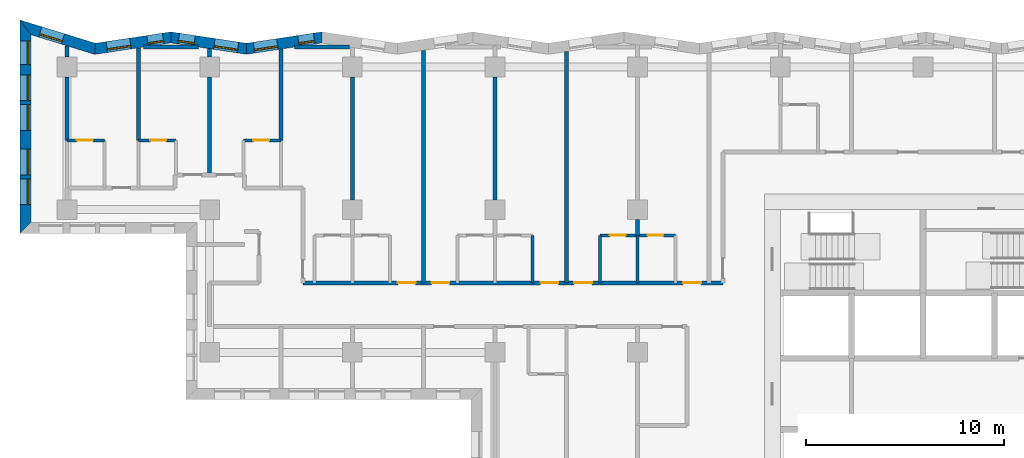
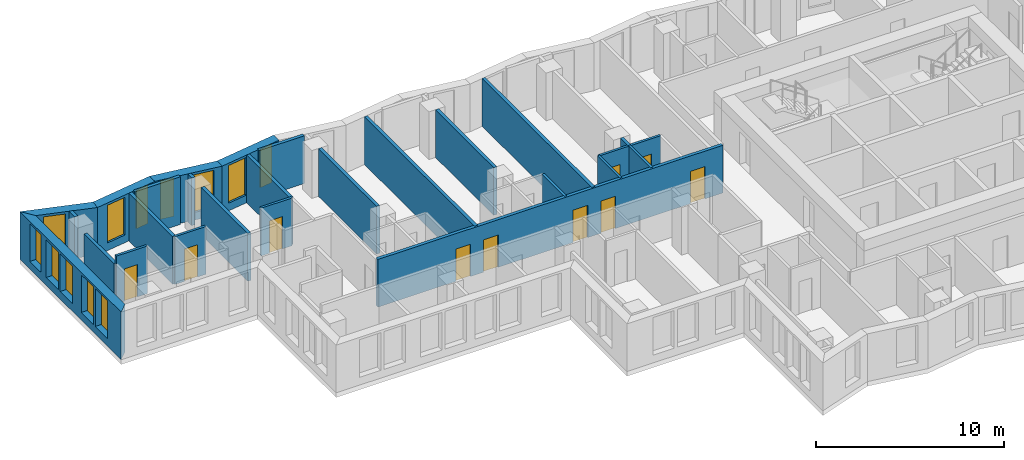
# One storey, part 5 of 13: 26 walls, 12 windows, 10 doors, 22 openings.
"""IFC4 building model written with IfcOpenShell, lengths in metres."""

from ifc_helpers import new_model, si_unit, direction, frame, frame_2d, origin, place, context, subcontext, project, spatial, polyline, rectangle, outline, extrude, material, layer, layer_set, type_object, element, fill, save


model = new_model("IFC4")

# Units and contexts
model_context = context("Model", 3, precision=1e-05, world=origin(), true_north=direction((0.0, 1.0)))
body_context = subcontext(model_context, "Body", "Model", "MODEL_VIEW")
ifc_project = project(units=[si_unit("LENGTHUNIT", "METRE"), si_unit("AREAUNIT", "SQUARE_METRE"), si_unit("VOLUMEUNIT", "CUBIC_METRE"), si_unit("PLANEANGLEUNIT", "RADIAN"), si_unit("MASSUNIT", "GRAM", prefix="KILO")], contexts=[model_context])

# Site, building, storey
site_placement = place(None, origin())
site = spatial("IfcSite", under=ifc_project, at=site_placement, CompositionType="ELEMENT")
building_placement = place(site_placement, origin())
building = spatial("IfcBuilding", under=site, at=building_placement, Name="Windrow Commons", CompositionType="ELEMENT")
storey_placement = place(building_placement, frame((0.0, 0.0, 111.8)))
storey = spatial("IfcBuildingStorey", under=building, at=storey_placement, Name="L30", CompositionType="ELEMENT", Elevation=111.8)

# Wall, openings, windows
ifc_material_1 = material(Name="Brick masonry, red clay brick", Category="masonry")
ifc_layer_1 = layer(ifc_material_1, 0.55)
ifc_layer_set_1 = layer_set([ifc_layer_1], Name="Brick facade wall 550")
wall_type_1 = type_object("IfcWallType", Name="Brick facade wall 550", PredefinedType="SOLIDWALL", material=ifc_layer_set_1)
wall_1_placement = place(storey_placement, frame((34.4666, 73.4939, 0.0), z_axis=(0.0, 0.0, 1.0), x_axis=(-0.9889150173, -0.1484826202, 0.0)))
wall_1 = element("IfcWall", 1, at=wall_1_placement, inside=storey, type_object=wall_type_1, Name="Brick facade wall L30 33", PredefinedType="SOLIDWALL", context=body_context, shape_type="SweptSolid", body=[
    extrude(outline(polyline([(-0.0413, -0.275), (3.8111, -0.275), (3.8937, 0.275), (0.0413, 0.275), (-0.0413, -0.275)])), origin(), (0.0, 0.0, 1.0), 3.1),
])
opening_1_placement = place(wall_1_placement, frame((2.2711, 0.0, 0.5)))
opening_1 = element("IfcOpeningElement", 2, at=opening_1_placement, cuts=wall_1, Name="Opening W7D", PredefinedType="OPENING", context=body_context, shape_type="SweptSolid", body=[
    extrude(rectangle(XDim=1.2, YDim=2.45, at=frame_2d((0.6, 1.225))), frame((0.0, 0.285, 0.0), z_axis=(0.0, -1.0, 0.0), x_axis=(1.0, 0.0, 0.0)), (0.0, 0.0, 1.0), 0.57),
])
opening_2_placement = place(wall_1_placement, frame((0.3975, 0.0, 0.45)))
opening_2 = element("IfcOpeningElement", 3, at=opening_2_placement, cuts=wall_1, Name="Opening W1N", PredefinedType="OPENING", context=body_context, shape_type="SweptSolid", body=[
    extrude(rectangle(XDim=0.8, YDim=2.5, at=frame_2d((0.4, 1.25))), frame((0.0, 0.285, 0.0), z_axis=(0.0, -1.0, 0.0), x_axis=(1.0, 0.0, 0.0)), (0.0, 0.0, 1.0), 0.57),
])
ifc_material_2 = material(Name="Clear float glass in anodised aluminium frame", Category="aluminium")
window_type_1 = type_object("IfcWindowType", Name="Window W1N slit 800x2500", PartitioningType="SINGLE_PANEL", PredefinedType="WINDOW", material=ifc_material_2)
window_1_placement = place(opening_2_placement, origin())
window_1 = element("IfcWindow", 4, at=window_1_placement, inside=storey, type_object=window_type_1, Name="Window L30 33.1A", OverallHeight=2.5, OverallWidth=0.8, PartitioningType="SINGLE_PANEL", PredefinedType="WINDOW", context=body_context, shape_type="SweptSolid", body=[
    extrude(rectangle(XDim=0.8, YDim=2.5, at=frame_2d((0.4, 1.25))), frame((0.0, 0.155, 0.0), z_axis=(0.0, -1.0, 0.0), x_axis=(1.0, 0.0, 0.0)), (0.0, 0.0, 1.0), 0.06),
])
fill(opening_2, window_1)
ifc_material_3 = material(Name="Clear float glass in anodised aluminium frame", Category="aluminium")
window_type_2 = type_object("IfcWindowType", Name="Window W7 notch 1200x2450", PartitioningType="SINGLE_PANEL", PredefinedType="WINDOW", material=ifc_material_3)
window_2_placement = place(opening_1_placement, origin())
window_2 = element("IfcWindow", 5, at=window_2_placement, inside=storey, type_object=window_type_2, Name="Window L30 33.2", OverallHeight=2.45, OverallWidth=1.2, PartitioningType="SINGLE_PANEL", PredefinedType="WINDOW", context=body_context, shape_type="SweptSolid", body=[
    extrude(rectangle(XDim=1.2, YDim=2.45, at=frame_2d((0.6, 1.225))), frame((0.0, 0.155, 0.0), z_axis=(0.0, -1.0, 0.0), x_axis=(1.0, 0.0, 0.0)), (0.0, 0.0, 1.0), 0.06),
])
fill(opening_1, window_2)

wall_2_placement = place(storey_placement, frame((30.657, 72.9219, 0.0), z_axis=(0.0, 0.0, 1.0), x_axis=(-0.9889155896, 0.1484788086, 0.0)))
wall_2 = element("IfcWall", 6, at=wall_2_placement, inside=storey, type_object=wall_type_1, Name="Brick facade wall L30 34", PredefinedType="SOLIDWALL", context=body_context, shape_type="SweptSolid", body=[
    extrude(outline(polyline([(0.0413, -0.275), (3.8937, -0.275), (3.8111, 0.275), (-0.0413, 0.275), (0.0413, -0.275)])), origin(), (0.0, 0.0, 1.0), 3.1),
])
opening_3_placement = place(wall_2_placement, frame((0.4389, 0.0, 0.5)))
opening_3 = element("IfcOpeningElement", 7, at=opening_3_placement, cuts=wall_2, Name="Opening W7D", PredefinedType="OPENING", context=body_context, shape_type="SweptSolid", body=[
    extrude(rectangle(XDim=1.2, YDim=2.45, at=frame_2d((0.6, 1.225))), frame((0.0, 0.285, 0.0), z_axis=(0.0, -1.0, 0.0), x_axis=(1.0, 0.0, 0.0)), (0.0, 0.0, 1.0), 0.57),
])
opening_4_placement = place(wall_2_placement, frame((2.6547, 0.0, 0.45)))
opening_4 = element("IfcOpeningElement", 8, at=opening_4_placement, cuts=wall_2, Name="Opening W1N", PredefinedType="OPENING", context=body_context, shape_type="SweptSolid", body=[
    extrude(rectangle(XDim=0.8, YDim=2.5, at=frame_2d((0.4, 1.25))), frame((0.0, 0.285, 0.0), z_axis=(0.0, -1.0, 0.0), x_axis=(1.0, 0.0, 0.0)), (0.0, 0.0, 1.0), 0.57),
])
window_3_placement = place(opening_4_placement, origin())
window_3 = element("IfcWindow", 9, at=window_3_placement, inside=storey, type_object=window_type_1, Name="Window L30 34.2A", OverallHeight=2.5, OverallWidth=0.8, PartitioningType="SINGLE_PANEL", PredefinedType="WINDOW", context=body_context, shape_type="SweptSolid", body=[
    extrude(rectangle(XDim=0.8, YDim=2.5, at=frame_2d((0.4, 1.25))), frame((0.0, 0.155, 0.0), z_axis=(0.0, -1.0, 0.0), x_axis=(1.0, 0.0, 0.0)), (0.0, 0.0, 1.0), 0.06),
])
fill(opening_4, window_3)
window_4_placement = place(opening_3_placement, origin())
window_4 = element("IfcWindow", 10, at=window_4_placement, inside=storey, type_object=window_type_2, Name="Window L30 34.1", OverallHeight=2.45, OverallWidth=1.2, PartitioningType="SINGLE_PANEL", PredefinedType="WINDOW", context=body_context, shape_type="SweptSolid", body=[
    extrude(rectangle(XDim=1.2, YDim=2.45, at=frame_2d((0.6, 1.225))), frame((0.0, 0.155, 0.0), z_axis=(0.0, -1.0, 0.0), x_axis=(1.0, 0.0, 0.0)), (0.0, 0.0, 1.0), 0.06),
])
fill(opening_3, window_4)

wall_3_placement = place(storey_placement, frame((26.8473, 73.4939, 0.0), z_axis=(0.0, 0.0, 1.0), x_axis=(-0.9889175987, -0.1484654269, 0.0)))
wall_3 = element("IfcWall", 11, at=wall_3_placement, inside=storey, type_object=wall_type_1, Name="Brick facade wall L30 35", PredefinedType="SOLIDWALL", context=body_context, shape_type="SweptSolid", body=[
    extrude(outline(polyline([(-0.0413, -0.275), (3.8111, -0.275), (3.9362, 0.275), (0.0413, 0.275), (-0.0413, -0.275)])), origin(), (0.0, 0.0, 1.0), 3.1),
])
opening_5_placement = place(wall_3_placement, frame((2.0697, 0.0, 0.5)))
opening_5 = element("IfcOpeningElement", 12, at=opening_5_placement, cuts=wall_3, Name="Opening W7D", PredefinedType="OPENING", context=body_context, shape_type="SweptSolid", body=[
    extrude(rectangle(XDim=1.2, YDim=2.45, at=frame_2d((0.6, 1.225))), frame((0.0, 0.285, 0.0), z_axis=(0.0, -1.0, 0.0), x_axis=(1.0, 0.0, 0.0)), (0.0, 0.0, 1.0), 0.57),
])
opening_6_placement = place(wall_3_placement, frame((0.3975, 0.0, 0.45)))
opening_6 = element("IfcOpeningElement", 13, at=opening_6_placement, cuts=wall_3, Name="Opening W1N", PredefinedType="OPENING", context=body_context, shape_type="SweptSolid", body=[
    extrude(rectangle(XDim=0.8, YDim=2.5, at=frame_2d((0.4, 1.25))), frame((0.0, 0.285, 0.0), z_axis=(0.0, -1.0, 0.0), x_axis=(1.0, 0.0, 0.0)), (0.0, 0.0, 1.0), 0.57),
])
window_5_placement = place(opening_6_placement, origin())
window_5 = element("IfcWindow", 14, at=window_5_placement, inside=storey, type_object=window_type_1, Name="Window L30 35.1A", OverallHeight=2.5, OverallWidth=0.8, PartitioningType="SINGLE_PANEL", PredefinedType="WINDOW", context=body_context, shape_type="SweptSolid", body=[
    extrude(rectangle(XDim=0.8, YDim=2.5, at=frame_2d((0.4, 1.25))), frame((0.0, 0.155, 0.0), z_axis=(0.0, -1.0, 0.0), x_axis=(1.0, 0.0, 0.0)), (0.0, 0.0, 1.0), 0.06),
])
fill(opening_6, window_5)
window_6_placement = place(opening_5_placement, origin())
window_6 = element("IfcWindow", 15, at=window_6_placement, inside=storey, type_object=window_type_2, Name="Window L30 35.2", OverallHeight=2.45, OverallWidth=1.2, PartitioningType="SINGLE_PANEL", PredefinedType="WINDOW", context=body_context, shape_type="SweptSolid", body=[
    extrude(rectangle(XDim=1.2, YDim=2.45, at=frame_2d((0.6, 1.225))), frame((0.0, 0.155, 0.0), z_axis=(0.0, -1.0, 0.0), x_axis=(1.0, 0.0, 0.0)), (0.0, 0.0, 1.0), 0.06),
])
fill(opening_5, window_6)

# Wall, opening, window
wall_4_placement = place(storey_placement, frame((23.0166, 72.9188, 0.0), z_axis=(0.0, 0.0, 1.0), x_axis=(-0.9557948878, 0.2940342368, 0.0)))
wall_4 = element("IfcWall", 16, at=wall_4_placement, inside=storey, type_object=wall_type_1, Name="Brick facade wall L30 36", PredefinedType="SOLIDWALL", context=body_context, shape_type="SweptSolid", body=[
    extrude(outline(polyline([(0.0626, -0.275), (4.0484, -0.275), (3.3038, 0.275), (-0.0626, 0.275), (0.0626, -0.275)])), origin(), (0.0, 0.0, 1.0), 3.1),
])
opening_7_placement = place(wall_4_placement, frame((1.693, 0.0, 0.5)))
opening_7 = element("IfcOpeningElement", 17, at=opening_7_placement, cuts=wall_4, Name="Opening W7D", PredefinedType="OPENING", context=body_context, shape_type="SweptSolid", body=[
    extrude(rectangle(XDim=1.2, YDim=2.45, at=frame_2d((0.6, 1.225))), frame((0.0, 0.285, 0.0), z_axis=(0.0, -1.0, 0.0), x_axis=(1.0, 0.0, 0.0)), (0.0, 0.0, 1.0), 0.57),
])
window_7_placement = place(opening_7_placement, origin())
window_7 = element("IfcWindow", 18, at=window_7_placement, inside=storey, type_object=window_type_2, Name="Window L30 36.1", OverallHeight=2.45, OverallWidth=1.2, PartitioningType="SINGLE_PANEL", PredefinedType="WINDOW", context=body_context, shape_type="SweptSolid", body=[
    extrude(rectangle(XDim=1.2, YDim=2.45, at=frame_2d((0.6, 1.225))), frame((0.0, 0.155, 0.0), z_axis=(0.0, -1.0, 0.0), x_axis=(1.0, 0.0, 0.0)), (0.0, 0.0, 1.0), 0.06),
])
fill(opening_7, window_7)

# Wall, openings, windows
wall_5_placement = place(storey_placement, frame((19.503, 73.9997, 0.0), z_axis=(0.0, 0.0, 1.0), x_axis=(0.0, -1.0, 0.0)))
wall_5 = element("IfcWall", 19, at=wall_5_placement, inside=storey, type_object=wall_type_1, Name="Brick facade wall L30 37", PredefinedType="SOLIDWALL", context=body_context, shape_type="SweptSolid", body=[
    extrude(outline(polyline([(-0.3723, -0.275), (10.3997, -0.275), (9.8497, 0.275), (0.3723, 0.275), (-0.3723, -0.275)])), origin(), (0.0, 0.0, 1.0), 3.1),
])
opening_8_placement = place(wall_5_placement, frame((2.3997, 0.0, 0.5)))
opening_8 = element("IfcOpeningElement", 20, at=opening_8_placement, cuts=wall_5, Name="Opening W1P", PredefinedType="OPENING", context=body_context, shape_type="SweptSolid", body=[
    extrude(rectangle(XDim=1.3, YDim=2.45, at=frame_2d((0.65, 1.225))), frame((0.0, 0.285, 0.0), z_axis=(0.0, -1.0, 0.0), x_axis=(1.0, 0.0, 0.0)), (0.0, 0.0, 1.0), 0.57),
])
opening_9_placement = place(wall_5_placement, frame((3.8997, 0.0, 0.5)))
opening_9 = element("IfcOpeningElement", 21, at=opening_9_placement, cuts=wall_5, Name="Opening W1P", PredefinedType="OPENING", context=body_context, shape_type="SweptSolid", body=[
    extrude(rectangle(XDim=1.3, YDim=2.45, at=frame_2d((0.65, 1.225))), frame((0.0, 0.285, 0.0), z_axis=(0.0, -1.0, 0.0), x_axis=(1.0, 0.0, 0.0)), (0.0, 0.0, 1.0), 0.57),
])
opening_10_placement = place(wall_5_placement, frame((6.1497, 0.0, 0.5)))
opening_10 = element("IfcOpeningElement", 22, at=opening_10_placement, cuts=wall_5, Name="Opening W1P", PredefinedType="OPENING", context=body_context, shape_type="SweptSolid", body=[
    extrude(rectangle(XDim=1.3, YDim=2.45, at=frame_2d((0.65, 1.225))), frame((0.0, 0.285, 0.0), z_axis=(0.0, -1.0, 0.0), x_axis=(1.0, 0.0, 0.0)), (0.0, 0.0, 1.0), 0.57),
])
opening_11_placement = place(wall_5_placement, frame((7.6497, 0.0, 0.5)))
opening_11 = element("IfcOpeningElement", 23, at=opening_11_placement, cuts=wall_5, Name="Opening W1P", PredefinedType="OPENING", context=body_context, shape_type="SweptSolid", body=[
    extrude(rectangle(XDim=1.3, YDim=2.45, at=frame_2d((0.65, 1.225))), frame((0.0, 0.285, 0.0), z_axis=(0.0, -1.0, 0.0), x_axis=(1.0, 0.0, 0.0)), (0.0, 0.0, 1.0), 0.57),
])
opening_12_placement = place(wall_5_placement, frame((0.686, 0.0, 0.5)))
opening_12 = element("IfcOpeningElement", 24, at=opening_12_placement, cuts=wall_5, Name="Opening W7D", PredefinedType="OPENING", context=body_context, shape_type="SweptSolid", body=[
    extrude(rectangle(XDim=1.2, YDim=2.45, at=frame_2d((0.6, 1.225))), frame((0.0, 0.285, 0.0), z_axis=(0.0, -1.0, 0.0), x_axis=(1.0, 0.0, 0.0)), (0.0, 0.0, 1.0), 0.57),
])
ifc_material_4 = material(Name="Clear float glass in anodised aluminium frame", Category="aluminium")
window_type_3 = type_object("IfcWindowType", Name="Window W1P pair 1300x2450", PartitioningType="SINGLE_PANEL", PredefinedType="WINDOW", material=ifc_material_4)
window_8_placement = place(opening_8_placement, origin())
window_8 = element("IfcWindow", 25, at=window_8_placement, inside=storey, type_object=window_type_3, Name="Window L30 37.1A", OverallHeight=2.45, OverallWidth=1.3, PartitioningType="SINGLE_PANEL", PredefinedType="WINDOW", context=body_context, shape_type="SweptSolid", body=[
    extrude(rectangle(XDim=1.3, YDim=2.45, at=frame_2d((0.65, 1.225))), frame((0.0, 0.155, 0.0), z_axis=(0.0, -1.0, 0.0), x_axis=(1.0, 0.0, 0.0)), (0.0, 0.0, 1.0), 0.06),
])
fill(opening_8, window_8)
window_9_placement = place(opening_9_placement, origin())
window_9 = element("IfcWindow", 26, at=window_9_placement, inside=storey, type_object=window_type_3, Name="Window L30 37.1B", OverallHeight=2.45, OverallWidth=1.3, PartitioningType="SINGLE_PANEL", PredefinedType="WINDOW", context=body_context, shape_type="SweptSolid", body=[
    extrude(rectangle(XDim=1.3, YDim=2.45, at=frame_2d((0.65, 1.225))), frame((0.0, 0.155, 0.0), z_axis=(0.0, -1.0, 0.0), x_axis=(1.0, 0.0, 0.0)), (0.0, 0.0, 1.0), 0.06),
])
fill(opening_9, window_9)
window_10_placement = place(opening_10_placement, origin())
window_10 = element("IfcWindow", 27, at=window_10_placement, inside=storey, type_object=window_type_3, Name="Window L30 37.2A", OverallHeight=2.45, OverallWidth=1.3, PartitioningType="SINGLE_PANEL", PredefinedType="WINDOW", context=body_context, shape_type="SweptSolid", body=[
    extrude(rectangle(XDim=1.3, YDim=2.45, at=frame_2d((0.65, 1.225))), frame((0.0, 0.155, 0.0), z_axis=(0.0, -1.0, 0.0), x_axis=(1.0, 0.0, 0.0)), (0.0, 0.0, 1.0), 0.06),
])
fill(opening_10, window_10)
window_11_placement = place(opening_11_placement, origin())
window_11 = element("IfcWindow", 28, at=window_11_placement, inside=storey, type_object=window_type_3, Name="Window L30 37.2B", OverallHeight=2.45, OverallWidth=1.3, PartitioningType="SINGLE_PANEL", PredefinedType="WINDOW", context=body_context, shape_type="SweptSolid", body=[
    extrude(rectangle(XDim=1.3, YDim=2.45, at=frame_2d((0.65, 1.225))), frame((0.0, 0.155, 0.0), z_axis=(0.0, -1.0, 0.0), x_axis=(1.0, 0.0, 0.0)), (0.0, 0.0, 1.0), 0.06),
])
fill(opening_11, window_11)
window_12_placement = place(opening_12_placement, origin())
window_12 = element("IfcWindow", 29, at=window_12_placement, inside=storey, type_object=window_type_2, Name="Window L30 37.3", OverallHeight=2.45, OverallWidth=1.2, PartitioningType="SINGLE_PANEL", PredefinedType="WINDOW", context=body_context, shape_type="SweptSolid", body=[
    extrude(rectangle(XDim=1.2, YDim=2.45, at=frame_2d((0.6, 1.225))), frame((0.0, 0.155, 0.0), z_axis=(0.0, -1.0, 0.0), x_axis=(1.0, 0.0, 0.0)), (0.0, 0.0, 1.0), 0.06),
])
fill(opening_12, window_12)

# Wall, openings, doors
ifc_material_5 = material(Name="Blockwork partition", Category="masonry")
ifc_layer_2 = layer(ifc_material_5, 0.2)
ifc_layer_set_2 = layer_set([ifc_layer_2], Name="IW-CORRIDOR-200")
wall_type_2 = type_object("IfcWallType", Name="IW-CORRIDOR-200", PredefinedType="PARTITIONING", material=ifc_layer_set_2)
wall_6_placement = place(storey_placement, frame((33.502, 61.1, 0.0), z_axis=(0.0, 0.0, 1.0), x_axis=(1.0, 0.0, 0.0)))
wall_6 = element("IfcWall", 30, at=wall_6_placement, inside=storey, type_object=wall_type_2, Name="W-L30-W001", PredefinedType="PARTITIONING", context=body_context, shape_type="SweptSolid", body=[
    extrude(rectangle(XDim=21.198, YDim=0.2, at=frame_2d((10.599, 0.0))), origin(), (0.0, 0.0, 1.0), 3.1),
])
opening_13_placement = place(wall_6_placement, frame((4.798, 0.0, 0.0)))
opening_13 = element("IfcOpeningElement", 31, at=opening_13_placement, cuts=wall_6, Name="Opening D109S", PredefinedType="OPENING", context=body_context, shape_type="SweptSolid", body=[
    extrude(rectangle(XDim=0.9, YDim=2.1, at=frame_2d((0.45, 1.05))), frame((0.0, 0.11, 0.0), z_axis=(0.0, -1.0, 0.0), x_axis=(1.0, 0.0, 0.0)), (0.0, 0.0, 1.0), 0.22),
])
opening_14_placement = place(wall_6_placement, frame((6.498, 0.0, 0.0)))
opening_14 = element("IfcOpeningElement", 32, at=opening_14_placement, cuts=wall_6, Name="Opening D109S", PredefinedType="OPENING", context=body_context, shape_type="SweptSolid", body=[
    extrude(rectangle(XDim=0.9, YDim=2.1, at=frame_2d((0.45, 1.05))), frame((0.0, 0.11, 0.0), z_axis=(0.0, -1.0, 0.0), x_axis=(1.0, 0.0, 0.0)), (0.0, 0.0, 1.0), 0.22),
])
opening_15_placement = place(wall_6_placement, frame((11.998, 0.0, 0.0)))
opening_15 = element("IfcOpeningElement", 33, at=opening_15_placement, cuts=wall_6, Name="Opening D109S", PredefinedType="OPENING", context=body_context, shape_type="SweptSolid", body=[
    extrude(rectangle(XDim=0.9, YDim=2.1, at=frame_2d((0.45, 1.05))), frame((0.0, 0.11, 0.0), z_axis=(0.0, -1.0, 0.0), x_axis=(1.0, 0.0, 0.0)), (0.0, 0.0, 1.0), 0.22),
])
opening_16_placement = place(wall_6_placement, frame((13.698, 0.0, 0.0)))
opening_16 = element("IfcOpeningElement", 34, at=opening_16_placement, cuts=wall_6, Name="Opening D109S", PredefinedType="OPENING", context=body_context, shape_type="SweptSolid", body=[
    extrude(rectangle(XDim=0.9, YDim=2.1, at=frame_2d((0.45, 1.05))), frame((0.0, 0.11, 0.0), z_axis=(0.0, -1.0, 0.0), x_axis=(1.0, 0.0, 0.0)), (0.0, 0.0, 1.0), 0.22),
])
opening_17_placement = place(wall_6_placement, frame((19.198, 0.0, 0.0)))
opening_17 = element("IfcOpeningElement", 35, at=opening_17_placement, cuts=wall_6, Name="Opening D109S", PredefinedType="OPENING", context=body_context, shape_type="SweptSolid", body=[
    extrude(rectangle(XDim=0.9, YDim=2.1, at=frame_2d((0.45, 1.05))), frame((0.0, 0.11, 0.0), z_axis=(0.0, -1.0, 0.0), x_axis=(1.0, 0.0, 0.0)), (0.0, 0.0, 1.0), 0.22),
])
ifc_material_6 = material(Name="Timber door leaf", Category="wood")
door_type_1 = type_object("IfcDoorType", Name="DT-BEDROOM-900", OperationType="SINGLE_SWING_LEFT", PredefinedType="DOOR", material=ifc_material_6)
door_1_placement = place(opening_13_placement, origin())
door_1 = element("IfcDoor", 36, at=door_1_placement, inside=storey, type_object=door_type_1, Name="D-L30-D027", OperationType="SINGLE_SWING_RIGHT", OverallHeight=2.1, OverallWidth=0.9, PredefinedType="DOOR", context=body_context, shape_type="SweptSolid", body=[
    extrude(rectangle(XDim=0.9, YDim=2.1, at=frame_2d((0.45, 1.05))), frame((0.0, 0.025, 0.0), z_axis=(0.0, -1.0, 0.0), x_axis=(1.0, 0.0, 0.0)), (0.0, 0.0, 1.0), 0.05),
])
fill(opening_13, door_1)
door_2_placement = place(opening_14_placement, origin())
door_2 = element("IfcDoor", 37, at=door_2_placement, inside=storey, type_object=door_type_1, Name="D-L30-D029", OperationType="SINGLE_SWING_LEFT", OverallHeight=2.1, OverallWidth=0.9, PredefinedType="DOOR", context=body_context, shape_type="SweptSolid", body=[
    extrude(rectangle(XDim=0.9, YDim=2.1, at=frame_2d((0.45, 1.05))), frame((0.0, 0.025, 0.0), z_axis=(0.0, -1.0, 0.0), x_axis=(1.0, 0.0, 0.0)), (0.0, 0.0, 1.0), 0.05),
])
fill(opening_14, door_2)
door_3_placement = place(opening_15_placement, origin())
door_3 = element("IfcDoor", 38, at=door_3_placement, inside=storey, type_object=door_type_1, Name="D-L30-D031", OperationType="SINGLE_SWING_RIGHT", OverallHeight=2.1, OverallWidth=0.9, PredefinedType="DOOR", context=body_context, shape_type="SweptSolid", body=[
    extrude(rectangle(XDim=0.9, YDim=2.1, at=frame_2d((0.45, 1.05))), frame((0.0, 0.025, 0.0), z_axis=(0.0, -1.0, 0.0), x_axis=(1.0, 0.0, 0.0)), (0.0, 0.0, 1.0), 0.05),
])
fill(opening_15, door_3)
door_4_placement = place(opening_16_placement, origin())
door_4 = element("IfcDoor", 39, at=door_4_placement, inside=storey, type_object=door_type_1, Name="D-L30-D033", OperationType="SINGLE_SWING_LEFT", OverallHeight=2.1, OverallWidth=0.9, PredefinedType="DOOR", context=body_context, shape_type="SweptSolid", body=[
    extrude(rectangle(XDim=0.9, YDim=2.1, at=frame_2d((0.45, 1.05))), frame((0.0, 0.025, 0.0), z_axis=(0.0, -1.0, 0.0), x_axis=(1.0, 0.0, 0.0)), (0.0, 0.0, 1.0), 0.05),
])
fill(opening_16, door_4)
door_5_placement = place(opening_17_placement, origin())
door_5 = element("IfcDoor", 40, at=door_5_placement, inside=storey, type_object=door_type_1, Name="D-L30-D035", OperationType="SINGLE_SWING_RIGHT", OverallHeight=2.1, OverallWidth=0.9, PredefinedType="DOOR", context=body_context, shape_type="SweptSolid", body=[
    extrude(rectangle(XDim=0.9, YDim=2.1, at=frame_2d((0.45, 1.05))), frame((0.0, 0.025, 0.0), z_axis=(0.0, -1.0, 0.0), x_axis=(1.0, 0.0, 0.0)), (0.0, 0.0, 1.0), 0.05),
])
fill(opening_17, door_5)

ifc_material_7 = material(Name="Blockwork partition", Category="masonry")
ifc_layer_3 = layer(ifc_material_7, 0.15)
ifc_layer_set_3 = layer_set([ifc_layer_3], Name="IW-ENSUITE-150")
wall_type_3 = type_object("IfcWallType", Name="IW-ENSUITE-150", PredefinedType="PARTITIONING", material=ifc_layer_set_3)
wall_7_placement = place(storey_placement, frame((48.5, 63.5, 0.0), z_axis=(0.0, 0.0, 1.0), x_axis=(1.0, 0.0, 0.0)))
wall_7 = element("IfcWall", 41, at=wall_7_placement, inside=storey, type_object=wall_type_3, Name="W-L30-W054", PredefinedType="PARTITIONING", context=body_context, shape_type="SweptSolid", body=[
    extrude(rectangle(XDim=3.8, YDim=0.15, at=frame_2d((1.9, 0.0))), origin(), (0.0, 0.0, 1.0), 3.1),
])
opening_18_placement = place(wall_7_placement, frame((0.4931, 0.0, 0.0)))
opening_18 = element("IfcOpeningElement", 42, at=opening_18_placement, cuts=wall_7, Name="Opening D208N", PredefinedType="OPENING", context=body_context, shape_type="SweptSolid", body=[
    extrude(rectangle(XDim=0.8, YDim=2.1, at=frame_2d((0.4, 1.05))), frame((0.0, 0.085, 0.0), z_axis=(0.0, -1.0, 0.0), x_axis=(1.0, 0.0, 0.0)), (0.0, 0.0, 1.0), 0.17),
])
opening_19_placement = place(wall_7_placement, frame((2.4021, 0.0, 0.0)))
opening_19 = element("IfcOpeningElement", 43, at=opening_19_placement, cuts=wall_7, Name="Opening D208N", PredefinedType="OPENING", context=body_context, shape_type="SweptSolid", body=[
    extrude(rectangle(XDim=0.8, YDim=2.1, at=frame_2d((0.4, 1.05))), frame((0.0, 0.085, 0.0), z_axis=(0.0, -1.0, 0.0), x_axis=(1.0, 0.0, 0.0)), (0.0, 0.0, 1.0), 0.17),
])
ifc_material_8 = material(Name="Timber door leaf", Category="wood")
door_type_2 = type_object("IfcDoorType", Name="DT-ENSUITE-800", OperationType="SINGLE_SWING_LEFT", PredefinedType="DOOR", material=ifc_material_8)
door_6_placement = place(opening_18_placement, origin())
door_6 = element("IfcDoor", 44, at=door_6_placement, inside=storey, type_object=door_type_2, Name="D-L30-D034", OperationType="SINGLE_SWING_RIGHT", OverallHeight=2.1, OverallWidth=0.8, PredefinedType="DOOR", context=body_context, shape_type="SweptSolid", body=[
    extrude(rectangle(XDim=0.8, YDim=2.1, at=frame_2d((0.4, 1.05))), frame((0.0, 0.025, 0.0), z_axis=(0.0, -1.0, 0.0), x_axis=(1.0, 0.0, 0.0)), (0.0, 0.0, 1.0), 0.05),
])
fill(opening_18, door_6)
door_7_placement = place(opening_19_placement, origin())
door_7 = element("IfcDoor", 45, at=door_7_placement, inside=storey, type_object=door_type_2, Name="D-L30-D036", OperationType="SINGLE_SWING_RIGHT", OverallHeight=2.1, OverallWidth=0.8, PredefinedType="DOOR", context=body_context, shape_type="SweptSolid", body=[
    extrude(rectangle(XDim=0.8, YDim=2.1, at=frame_2d((0.4, 1.05))), frame((0.0, 0.025, 0.0), z_axis=(0.0, -1.0, 0.0), x_axis=(1.0, 0.0, 0.0)), (0.0, 0.0, 1.0), 0.05),
])
fill(opening_19, door_7)

# Walls
for number, where, z_axis, x_axis, name in (
    (46, (45.1, 61.1, 0.0), (0.0, 0.0, 1.0), (0.0, 1.0, 0.0), "W-L30-W093"),
    (47, (48.5, 61.1, 0.0), (0.0, 0.0, 1.0), (0.0, 1.0, 0.0), "W-L30-W096"),
    (48, (50.4, 61.1, 0.0), (0.0, 0.0, 1.0), (0.0, 1.0, 0.0), "W-L30-W097"),
):
    element("IfcWall", number, at=place(storey_placement, frame(where, z_axis=z_axis, x_axis=x_axis)), inside=storey, type_object=wall_type_3, Name=name, PredefinedType="PARTITIONING", context=body_context, shape_type="SweptSolid", body=[
        extrude(rectangle(XDim=2.4, YDim=0.15, at=frame_2d((1.2, 0.0))), origin(), (0.0, 0.0, 1.0), 3.1),
    ])

# Wall, opening, door
wall_8_placement = place(storey_placement, frame((25.2, 68.3, 0.0), z_axis=(0.0, 0.0, 1.0), x_axis=(1.0, 0.0, 0.0)))
wall_8 = element("IfcWall", 49, at=wall_8_placement, inside=storey, type_object=wall_type_3, Name="W-L30-W143", PredefinedType="PARTITIONING", context=body_context, shape_type="SweptSolid", body=[
    extrude(rectangle(XDim=1.9, YDim=0.15, at=frame_2d((0.95, 0.0))), origin(), (0.0, 0.0, 1.0), 3.1),
])
opening_20_placement = place(wall_8_placement, frame((0.6021, 0.0, 0.0)))
opening_20 = element("IfcOpeningElement", 50, at=opening_20_placement, cuts=wall_8, Name="Opening D208N", PredefinedType="OPENING", context=body_context, shape_type="SweptSolid", body=[
    extrude(rectangle(XDim=0.8, YDim=2.1, at=frame_2d((0.4, 1.05))), frame((0.0, 0.085, 0.0), z_axis=(0.0, -1.0, 0.0), x_axis=(1.0, 0.0, 0.0)), (0.0, 0.0, 1.0), 0.17),
])
door_8_placement = place(opening_20_placement, origin())
door_8 = element("IfcDoor", 51, at=door_8_placement, inside=storey, type_object=door_type_2, Name="D-L30-D022", OperationType="SINGLE_SWING_RIGHT", OverallHeight=2.1, OverallWidth=0.8, PredefinedType="DOOR", context=body_context, shape_type="SweptSolid", body=[
    extrude(rectangle(XDim=0.8, YDim=2.1, at=frame_2d((0.4, 1.05))), frame((0.0, 0.025, 0.0), z_axis=(0.0, -1.0, 0.0), x_axis=(1.0, 0.0, 0.0)), (0.0, 0.0, 1.0), 0.05),
])
fill(opening_20, door_8)

wall_9_placement = place(storey_placement, frame((21.6, 68.3, 0.0), z_axis=(0.0, 0.0, 1.0), x_axis=(1.0, 0.0, 0.0)))
wall_9 = element("IfcWall", 52, at=wall_9_placement, inside=storey, type_object=wall_type_3, Name="W-L30-W144", PredefinedType="PARTITIONING", context=body_context, shape_type="SweptSolid", body=[
    extrude(rectangle(XDim=1.9, YDim=0.15, at=frame_2d((0.95, 0.0))), origin(), (0.0, 0.0, 1.0), 3.1),
])
opening_21_placement = place(wall_9_placement, frame((0.5021, 0.0, 0.0)))
opening_21 = element("IfcOpeningElement", 53, at=opening_21_placement, cuts=wall_9, Name="Opening D208N", PredefinedType="OPENING", context=body_context, shape_type="SweptSolid", body=[
    extrude(rectangle(XDim=0.8, YDim=2.1, at=frame_2d((0.4, 1.05))), frame((0.0, 0.085, 0.0), z_axis=(0.0, -1.0, 0.0), x_axis=(1.0, 0.0, 0.0)), (0.0, 0.0, 1.0), 0.17),
])
door_9_placement = place(opening_21_placement, origin())
door_9 = element("IfcDoor", 54, at=door_9_placement, inside=storey, type_object=door_type_2, Name="D-L30-D020", OperationType="SINGLE_SWING_RIGHT", OverallHeight=2.1, OverallWidth=0.8, PredefinedType="DOOR", context=body_context, shape_type="SweptSolid", body=[
    extrude(rectangle(XDim=0.8, YDim=2.1, at=frame_2d((0.4, 1.05))), frame((0.0, 0.025, 0.0), z_axis=(0.0, -1.0, 0.0), x_axis=(1.0, 0.0, 0.0)), (0.0, 0.0, 1.0), 0.05),
])
fill(opening_21, door_9)

wall_10_placement = place(storey_placement, frame((30.5, 68.3, 0.0), z_axis=(0.0, 0.0, 1.0), x_axis=(1.0, 0.0, 0.0)))
wall_10 = element("IfcWall", 55, at=wall_10_placement, inside=storey, type_object=wall_type_3, Name="W-L30-W145", PredefinedType="PARTITIONING", context=body_context, shape_type="SweptSolid", body=[
    extrude(rectangle(XDim=1.9, YDim=0.15, at=frame_2d((0.95, 0.0))), origin(), (0.0, 0.0, 1.0), 3.1),
])
opening_22_placement = place(wall_10_placement, frame((0.5072, 0.0, 0.0)))
opening_22 = element("IfcOpeningElement", 56, at=opening_22_placement, cuts=wall_10, Name="Opening D208N", PredefinedType="OPENING", context=body_context, shape_type="SweptSolid", body=[
    extrude(rectangle(XDim=0.8, YDim=2.1, at=frame_2d((0.4, 1.05))), frame((0.0, 0.085, 0.0), z_axis=(0.0, -1.0, 0.0), x_axis=(1.0, 0.0, 0.0)), (0.0, 0.0, 1.0), 0.17),
])
door_10_placement = place(opening_22_placement, origin())
door_10 = element("IfcDoor", 57, at=door_10_placement, inside=storey, type_object=door_type_2, Name="D-L30-D024", OperationType="SINGLE_SWING_RIGHT", OverallHeight=2.1, OverallWidth=0.8, PredefinedType="DOOR", context=body_context, shape_type="SweptSolid", body=[
    extrude(rectangle(XDim=0.8, YDim=2.1, at=frame_2d((0.4, 1.05))), frame((0.0, 0.025, 0.0), z_axis=(0.0, -1.0, 0.0), x_axis=(1.0, 0.0, 0.0)), (0.0, 0.0, 1.0), 0.05),
])
fill(opening_22, door_10)

# Walls
ifc_material_9 = material(Name="Blockwork partition", Category="masonry")
ifc_layer_4 = layer(ifc_material_9, 0.2)
ifc_layer_set_4 = layer_set([ifc_layer_4], Name="IW-PARTY-200")
wall_type_4 = type_object("IfcWallType", Name="IW-PARTY-200", PredefinedType="PARTITIONING", material=ifc_layer_set_4)
wall_11_placement = place(storey_placement, frame((39.6, 61.1, 0.0), z_axis=(0.0, 0.0, 1.0), x_axis=(0.0, 1.0, 0.0)))
element("IfcWall", 58, at=wall_11_placement, inside=storey, type_object=wall_type_4, Name="W-L30-W005", PredefinedType="PARTITIONING", context=body_context, shape_type="SweptSolid", body=[
    extrude(rectangle(XDim=11.7426, YDim=0.2, at=frame_2d((5.8713, 0.0))), origin(), (0.0, 0.0, 1.0), 3.1),
])
wall_12_placement = place(storey_placement, frame((46.8, 61.1, 0.0), z_axis=(0.0, 0.0, 1.0), x_axis=(0.0, 1.0, 0.0)))
element("IfcWall", 59, at=wall_12_placement, inside=storey, type_object=wall_type_4, Name="W-L30-W006", PredefinedType="PARTITIONING", context=body_context, shape_type="SweptSolid", body=[
    extrude(rectangle(XDim=11.6796, YDim=0.2, at=frame_2d((5.8398, 0.0))), origin(), (0.0, 0.0, 1.0), 3.1),
])
for number, where, z_axis, x_axis, name in (
    (60, (36.0, 65.3, 0.0), (0.0, 0.0, 1.0), (0.0, 1.0, 0.0), "W-L30-W027"),
    (61, (43.2, 65.3, 0.0), (0.0, 0.0, 1.0), (0.0, 1.0, 0.0), "W-L30-W029"),
):
    element("IfcWall", number, at=place(storey_placement, frame(where, z_axis=z_axis, x_axis=x_axis)), inside=storey, type_object=wall_type_4, Name=name, PredefinedType="PARTITIONING", context=body_context, shape_type="SweptSolid", body=[
        extrude(rectangle(XDim=6.2, YDim=0.2, at=frame_2d((3.1, 0.0))), origin(), (0.0, 0.0, 1.0), 3.1),
    ])
wall_13_placement = place(storey_placement, frame((28.8, 66.55, 0.0), z_axis=(0.0, 0.0, 1.0), x_axis=(0.0, 1.0, 0.0)))
element("IfcWall", 62, at=wall_13_placement, inside=storey, type_object=wall_type_4, Name="W-L30-W042", PredefinedType="PARTITIONING", context=body_context, shape_type="SweptSolid", body=[
    extrude(rectangle(XDim=4.95, YDim=0.2, at=frame_2d((2.475, 0.0))), origin(), (0.0, 0.0, 1.0), 3.1),
])
wall_14_placement = place(storey_placement, frame((25.2, 68.3, 0.0), z_axis=(0.0, 0.0, 1.0), x_axis=(0.0, 1.0, 0.0)))
element("IfcWall", 63, at=wall_14_placement, inside=storey, type_object=wall_type_4, Name="W-L30-W046", PredefinedType="PARTITIONING", context=body_context, shape_type="SweptSolid", body=[
    extrude(rectangle(XDim=4.6685, YDim=0.2, at=frame_2d((2.3342, 0.0))), origin(), (0.0, 0.0, 1.0), 3.1),
])
wall_15_placement = place(storey_placement, frame((32.4, 68.3, 0.0), z_axis=(0.0, 0.0, 1.0), x_axis=(0.0, 1.0, 0.0)))
element("IfcWall", 64, at=wall_15_placement, inside=storey, type_object=wall_type_4, Name="W-L30-W047", PredefinedType="PARTITIONING", context=body_context, shape_type="SweptSolid", body=[
    extrude(rectangle(XDim=4.6055, YDim=0.2, at=frame_2d((2.3028, 0.0))), origin(), (0.0, 0.0, 1.0), 3.1),
])
wall_16_placement = place(storey_placement, frame((21.6, 68.3, 0.0), z_axis=(0.0, 0.0, 1.0), x_axis=(0.0, 1.0, 0.0)))
element("IfcWall", 65, at=wall_16_placement, inside=storey, type_object=wall_type_4, Name="W-L30-W058", PredefinedType="PARTITIONING", context=body_context, shape_type="SweptSolid", body=[
    extrude(rectangle(XDim=3.2, YDim=0.2, at=frame_2d((1.6, 0.0))), origin(), (0.0, 0.0, 1.0), 2.6),
])
wall_17_placement = place(storey_placement, frame((33.0791, 73.0, 0.0), z_axis=(0.0, 0.0, 1.0), x_axis=(1.0, 0.0, 0.0)))
element("IfcWall", 66, at=wall_17_placement, inside=storey, type_object=wall_type_4, Name="W-L30-W071", PredefinedType="PARTITIONING", context=body_context, shape_type="SweptSolid", body=[
    extrude(rectangle(XDim=2.7751, YDim=0.2, at=frame_2d((1.3876, 0.0))), origin(), (0.0, 0.0, 1.0), 3.1),
])
wall_18_placement = place(storey_placement, frame((25.4598, 73.0, 0.0), z_axis=(0.0, 0.0, 1.0), x_axis=(1.0, 0.0, 0.0)))
element("IfcWall", 67, at=wall_18_placement, inside=storey, type_object=wall_type_4, Name="W-L30-W073", PredefinedType="PARTITIONING", context=body_context, shape_type="SweptSolid", body=[
    extrude(rectangle(XDim=2.775, YDim=0.2, at=frame_2d((1.3875, 0.0))), origin(), (0.0, 0.0, 1.0), 3.1),
])
wall_19_placement = place(storey_placement, frame((50.4, 63.5, 0.0), z_axis=(0.0, 0.0, 1.0), x_axis=(0.0, 1.0, 0.0)))
element("IfcWall", 68, at=wall_19_placement, inside=storey, type_object=wall_type_4, Name="W-L30-W177", PredefinedType="PARTITIONING", context=body_context, shape_type="SweptSolid", body=[
    extrude(rectangle(XDim=0.8, YDim=0.2, at=frame_2d((0.4, 0.0))), origin(), (0.0, 0.0, 1.0), 3.1),
])
wall_20_placement = place(storey_placement, frame((21.6, 72.5, 0.0), z_axis=(0.0, 0.0, 1.0), x_axis=(0.0, 1.0, 0.0)))
element("IfcWall", 69, at=wall_20_placement, inside=storey, type_object=wall_type_4, Name="W-L30-W198", PredefinedType="PARTITIONING", context=body_context, shape_type="SweptSolid", body=[
    extrude(rectangle(XDim=0.5668, YDim=0.2, at=frame_2d((0.2834, 0.0))), origin(), (0.0, 0.0, 1.0), 3.1),
])
wall_21_placement = place(storey_placement, frame((28.8, 72.5, 0.0), z_axis=(0.0, 0.0, 1.0), x_axis=(0.0, 1.0, 0.0)))
element("IfcWall", 70, at=wall_21_placement, inside=storey, type_object=wall_type_4, Name="W-L30-W214", PredefinedType="PARTITIONING", context=body_context, shape_type="SweptSolid", body=[
    extrude(rectangle(XDim=0.4227, YDim=0.2, at=frame_2d((0.2114, 0.0))), origin(), (0.0, 0.0, 1.0), 3.1),
])

save(model, "model.ifc")
